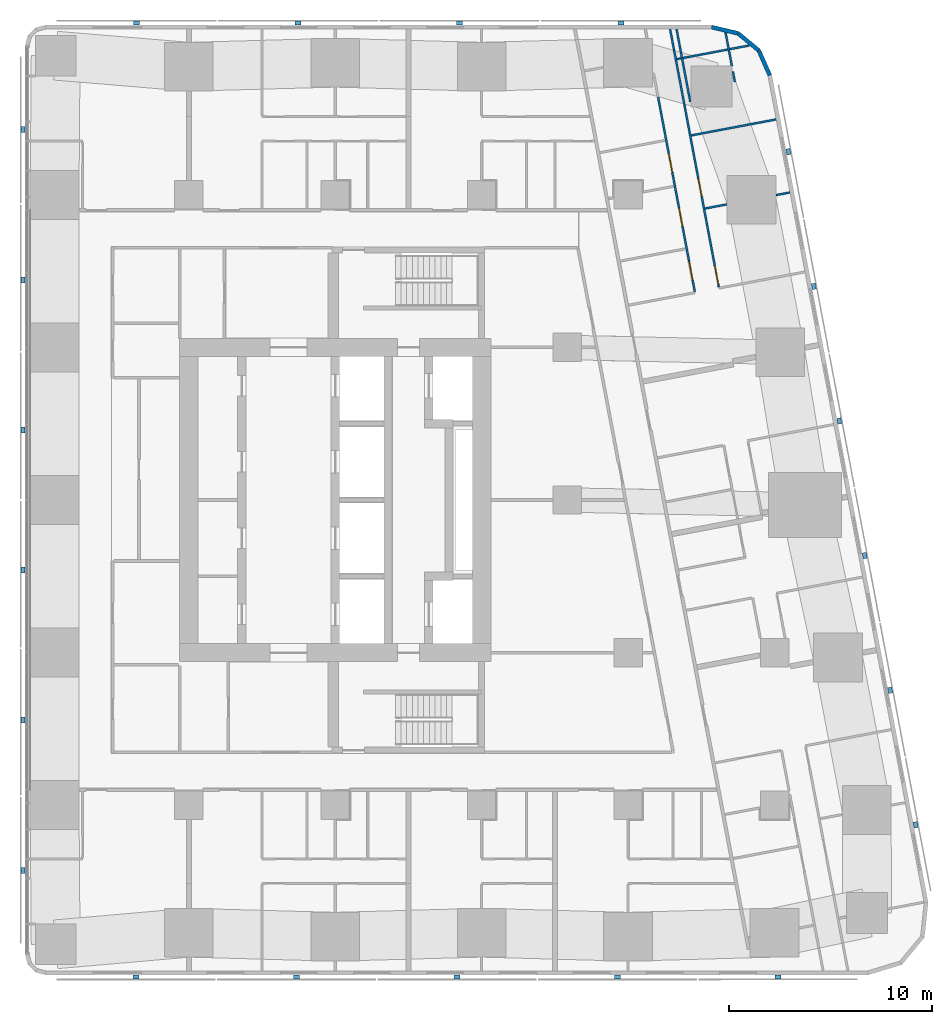
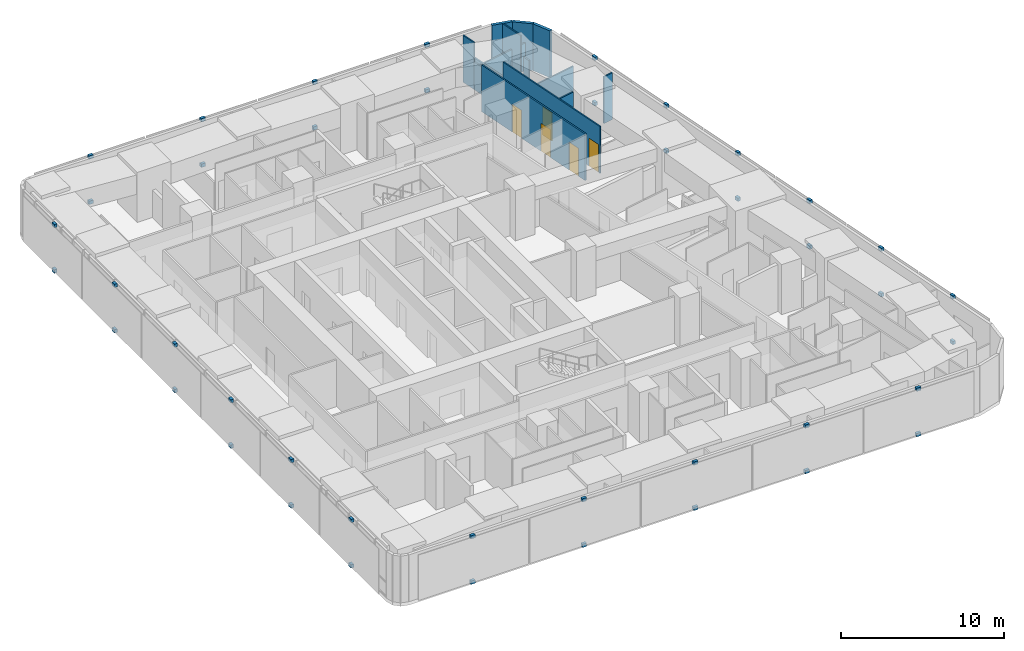
# One storey, part 17 of 19: 42 discrete accessories, 14 walls, 5 doors, 5 openings.
"""IFC4 building model written with IfcOpenShell, lengths in metres."""

from ifc_helpers import new_model, si_unit, direction, frame, frame_2d, origin, origin_2d, place, context, subcontext, project, spatial, rectangle, extrude, material, layer, layer_set, type_object, element, fill, save


model = new_model("IFC4")

# Units and contexts
model_context = context("Model", 3, precision=1e-05, world=origin(), true_north=direction((0.0, 1.0)))
body_context = subcontext(model_context, "Body", "Model", "MODEL_VIEW")
ifc_project = project(units=[si_unit("LENGTHUNIT", "METRE"), si_unit("AREAUNIT", "SQUARE_METRE"), si_unit("VOLUMEUNIT", "CUBIC_METRE"), si_unit("PLANEANGLEUNIT", "RADIAN"), si_unit("MASSUNIT", "GRAM", prefix="KILO")], contexts=[model_context])

# Site, building, storey
site_placement = place(None, origin())
site = spatial("IfcSite", under=ifc_project, at=site_placement, CompositionType="ELEMENT")
building_placement = place(site_placement, origin())
building = spatial("IfcBuilding", under=site, at=building_placement, Name="Sheger Commons Tower", CompositionType="ELEMENT")
storey_placement = place(building_placement, frame((0.0, 0.0, 219.949951171875)))
storey = spatial("IfcBuildingStorey", under=building, at=storey_placement, Name="L56", CompositionType="ELEMENT", Elevation=219.949951171875)

# Walls
ifc_material_1 = material(Name="Rendered concrete block masonry, dark grey", Category="masonry")
ifc_layer_1 = layer(ifc_material_1, 0.199951171875)
ifc_layer_set_1 = layer_set([ifc_layer_1], Name="FACADE WALL 200")
wall_type_1 = type_object("IfcWallType", Name="FACADE WALL 200", PredefinedType="SOLIDWALL", material=ifc_layer_set_1)
wall_1_placement = place(storey_placement, frame((42.969970703125, 43.376953125, 0.0), z_axis=(0.0, 0.0, 1.0), x_axis=(-0.406002956633, 0.913871762998, 0.0)))
element("IfcWall", 1, at=wall_1_placement, inside=storey, type_object=wall_type_1, Name="Facade wall L56", PredefinedType="SOLIDWALL", context=body_context, shape_type="SweptSolid", body=[
    extrude(rectangle(XDim=1.33740234375, YDim=0.199951171875, at=frame_2d((0.668701171875, 0.0))), origin(), (0.0, 0.0, 1.0), 3.5),
])
wall_2_placement = place(storey_placement, frame((42.427001953125, 44.59912109375, 0.0), z_axis=(0.0, 0.0, 1.0), x_axis=(-0.770091412544, 0.637933551655, 0.0)))
element("IfcWall", 2, at=wall_2_placement, inside=storey, type_object=wall_type_1, Name="Facade wall L56", PredefinedType="SOLIDWALL", context=body_context, shape_type="SweptSolid", body=[
    extrude(rectangle(XDim=1.324462890625, YDim=0.199951171875, at=frame_2d((0.662109375, 0.0))), origin(), (0.0, 0.0, 1.0), 3.5),
])
wall_3_placement = place(storey_placement, frame((41.406982421875, 45.444091796875, 0.0), z_axis=(0.0, 0.0, 1.0), x_axis=(-0.973453091607, 0.228886606077, 0.0)))
element("IfcWall", 3, at=wall_3_placement, inside=storey, type_object=wall_type_1, Name="Facade wall L56", PredefinedType="SOLIDWALL", context=body_context, shape_type="SweptSolid", body=[
    extrude(rectangle(XDim=1.33642578125, YDim=0.199951171875, at=frame_2d((0.668212890625, 0.0))), origin(), (0.0, 0.0, 1.0), 3.5),
])
ifc_material_2 = material(Name="Gypsum board on steel studs", Category="steel")
ifc_layer_2 = layer(ifc_material_2, 0.10009765625)
ifc_layer_set_2 = layer_set([ifc_layer_2], Name="PARTITION 100")
wall_type_2 = type_object("IfcWallType", Name="PARTITION 100", PredefinedType="PARTITIONING", material=ifc_layer_set_2)
wall_4_placement = place(storey_placement, frame((39.053955078125, 42.0849609375, 0.0), z_axis=(0.0, 0.0, 1.0), x_axis=(-0.185791584218, 0.982589175207, 0.0)))
element("IfcWall", 4, at=wall_4_placement, inside=storey, type_object=wall_type_2, Name="Partition L56", PredefinedType="PARTITIONING", context=body_context, shape_type="SweptSolid", body=[
    extrude(rectangle(XDim=3.628173828125, YDim=0.10009765625, at=frame_2d((1.81396484375, 0.0))), origin(), (0.0, 0.0, 1.0), 2.050048828125),
])
wall_5_placement = place(storey_placement, frame((40.7890625, 45.487060546875, 0.0), z_axis=(0.0, 0.0, 1.0), x_axis=(0.185572395193, -0.982630594955, 0.0)))
element("IfcWall", 5, at=wall_5_placement, inside=storey, type_object=wall_type_2, Name="Partition L56", PredefinedType="PARTITIONING", context=body_context, shape_type="SweptSolid", body=[
    extrude(rectangle(XDim=1.676025390625, YDim=0.10009765625, at=frame_2d((0.837890625, 0.0))), origin(), (0.0, 0.0, 1.0), 3.5),
])
wall_6_placement = place(storey_placement, frame((41.15087890625, 43.569091796875, 0.0), z_axis=(0.0, 0.0, 1.0), x_axis=(0.186563073924, -0.982442985342, 0.0)))
element("IfcWall", 6, at=wall_6_placement, inside=storey, type_object=wall_type_2, Name="Partition L56", PredefinedType="PARTITIONING", context=body_context, shape_type="SweptSolid", body=[
    extrude(rectangle(XDim=0.53125, YDim=0.10009765625, at=frame_2d((0.265625, 0.0))), origin(), (0.0, 0.0, 1.0), 2.050048828125),
])
wall_7_placement = place(storey_placement, frame((38.06298828125, 45.64990234375, 0.0), z_axis=(0.0, 0.0, 1.0), x_axis=(0.185677287841, -0.982610779902, 0.0)))
element("IfcWall", 7, at=wall_7_placement, inside=storey, type_object=wall_type_2, Name="Partition L56", PredefinedType="PARTITIONING", context=body_context, shape_type="SweptSolid", body=[
    extrude(rectangle(XDim=1.0400390625, YDim=0.10009765625, at=frame_2d((0.52001953125, 0.0))), origin(), (0.0, 0.0, 1.0), 3.5),
])
wall_8_placement = place(storey_placement, frame((38.256103515625, 44.6279296875, 0.0), z_axis=(0.0, 0.0, 1.0), x_axis=(0.185700639943, -0.982606366927, 0.0)))
element("IfcWall", 8, at=wall_8_placement, inside=storey, type_object=wall_type_2, Name="Partition L56", PredefinedType="PARTITIONING", context=body_context, shape_type="SweptSolid", body=[
    extrude(rectangle(XDim=2.734619140625, YDim=0.10009765625, at=frame_2d((1.3671875, 0.0))), origin(), (0.0, 0.0, 1.0), 2.050048828125),
])

# Wall, openings, doors
wall_9_placement = place(storey_placement, frame((38.763916015625, 41.94091796875, 0.0), z_axis=(0.0, 0.0, 1.0), x_axis=(0.185548572312, -0.982635093671, 0.0)))
wall_9 = element("IfcWall", 9, at=wall_9_placement, inside=storey, type_object=wall_type_2, Name="Partition L56", PredefinedType="PARTITIONING", context=body_context, shape_type="SweptSolid", body=[
    extrude(rectangle(XDim=9.135498046875, YDim=0.10009765625, at=frame_2d((4.56787109375, 0.0))), origin(), (0.0, 0.0, 1.0), 3.5),
])
opening_1_placement = place(wall_9_placement, frame((8.0849609375, 0.0, 0.0)))
opening_1 = element("IfcOpeningElement", 10, at=opening_1_placement, cuts=wall_9, Name="Opening D2", PredefinedType="OPENING", context=body_context, shape_type="SweptSolid", body=[
    extrude(rectangle(XDim=0.89990234375, YDim=2.10009765625, at=frame_2d((0.449951171875, 1.050048828125))), frame((0.0, 0.06005859375, 0.0), z_axis=(0.0, -1.0, 0.0), x_axis=(1.0, 0.0, 0.0)), (0.0, 0.0, 1.0), 0.1201171875),
])
opening_2_placement = place(wall_9_placement, frame((3.699951171875, 0.0, 0.0)))
opening_2 = element("IfcOpeningElement", 11, at=opening_2_placement, cuts=wall_9, Name="Opening D2", PredefinedType="OPENING", context=body_context, shape_type="SweptSolid", body=[
    extrude(rectangle(XDim=0.89990234375, YDim=2.10009765625, at=frame_2d((0.449951171875, 1.050048828125))), frame((0.0, 0.06005859375, 0.0), z_axis=(0.0, -1.0, 0.0), x_axis=(1.0, 0.0, 0.0)), (0.0, 0.0, 1.0), 0.1201171875),
])
ifc_material_3 = material(Name="Timber door set", Category="wood")
door_type = type_object("IfcDoorType", Name="INTERNAL DOOR 900x2100", OperationType="NOTDEFINED", PredefinedType="DOOR", material=ifc_material_3)
door_1_placement = place(opening_1_placement, origin())
door_1 = element("IfcDoor", 12, at=door_1_placement, inside=storey, type_object=door_type, Name="Main bedroom door", OperationType="SINGLE_SWING_RIGHT", OverallHeight=2.10009765625, OverallWidth=0.89990234375, PredefinedType="DOOR", context=body_context, shape_type="SweptSolid", body=[
    extrude(rectangle(XDim=0.89990234375, YDim=2.10009765625, at=frame_2d((0.449951171875, 1.050048828125))), frame((0.0, 0.02490234375, 0.0), z_axis=(0.0, -1.0, 0.0), x_axis=(1.0, 0.0, 0.0)), (0.0, 0.0, 1.0), 0.050048828125),
])
fill(opening_1, door_1)
door_2_placement = place(opening_2_placement, origin())
door_2 = element("IfcDoor", 13, at=door_2_placement, inside=storey, type_object=door_type, Name="Bedroom 2 door", OperationType="SINGLE_SWING_RIGHT", OverallHeight=2.10009765625, OverallWidth=0.89990234375, PredefinedType="DOOR", context=body_context, shape_type="SweptSolid", body=[
    extrude(rectangle(XDim=0.89990234375, YDim=2.10009765625, at=frame_2d((0.449951171875, 1.050048828125))), frame((0.0, 0.02490234375, 0.0), z_axis=(0.0, -1.0, 0.0), x_axis=(1.0, 0.0, 0.0)), (0.0, 0.0, 1.0), 0.050048828125),
])
fill(opening_2, door_2)

wall_10_placement = place(storey_placement, frame((37.472900390625, 42.30908203125, 0.0), z_axis=(0.0, 0.0, 1.0), x_axis=(0.185491912953, -0.982645790827, 0.0)))
wall_10 = element("IfcWall", 14, at=wall_10_placement, inside=storey, type_object=wall_type_2, Name="Partition L56", PredefinedType="PARTITIONING", context=body_context, shape_type="SweptSolid", body=[
    extrude(rectangle(XDim=9.737060546875, YDim=0.10009765625, at=frame_2d((4.86865234375, 0.0))), origin(), (0.0, 0.0, 1.0), 3.5),
])
opening_3_placement = place(wall_10_placement, frame((8.23193359375, 0.0, 0.0)))
opening_3 = element("IfcOpeningElement", 15, at=opening_3_placement, cuts=wall_10, Name="Opening D2", PredefinedType="OPENING", context=body_context, shape_type="SweptSolid", body=[
    extrude(rectangle(XDim=0.89990234375, YDim=2.10009765625, at=frame_2d((0.449951171875, 1.050048828125))), frame((0.0, 0.06005859375, 0.0), z_axis=(0.0, -1.0, 0.0), x_axis=(1.0, 0.0, 0.0)), (0.0, 0.0, 1.0), 0.1201171875),
])
opening_4_placement = place(wall_10_placement, frame((2.85302734375, 0.0, 0.0)))
opening_4 = element("IfcOpeningElement", 16, at=opening_4_placement, cuts=wall_10, Name="Opening D2", PredefinedType="OPENING", context=body_context, shape_type="SweptSolid", body=[
    extrude(rectangle(XDim=0.89990234375, YDim=2.10009765625, at=frame_2d((0.449951171875, 1.050048828125))), frame((0.0, 0.06005859375, 0.0), z_axis=(0.0, -1.0, 0.0), x_axis=(1.0, 0.0, 0.0)), (0.0, 0.0, 1.0), 0.1201171875),
])
opening_5_placement = place(wall_10_placement, frame((5.56396484375, 0.0, 0.0)))
opening_5 = element("IfcOpeningElement", 17, at=opening_5_placement, cuts=wall_10, Name="Opening D2", PredefinedType="OPENING", context=body_context, shape_type="SweptSolid", body=[
    extrude(rectangle(XDim=0.89990234375, YDim=2.10009765625, at=frame_2d((0.449951171875, 1.050048828125))), frame((0.0, 0.06005859375, 0.0), z_axis=(0.0, -1.0, 0.0), x_axis=(1.0, 0.0, 0.0)), (0.0, 0.0, 1.0), 0.1201171875),
])
door_3_placement = place(opening_3_placement, origin())
door_3 = element("IfcDoor", 18, at=door_3_placement, inside=storey, type_object=door_type, Name="Bathroom door", OperationType="SINGLE_SWING_LEFT", OverallHeight=2.10009765625, OverallWidth=0.89990234375, PredefinedType="DOOR", context=body_context, shape_type="SweptSolid", body=[
    extrude(rectangle(XDim=0.89990234375, YDim=2.10009765625, at=frame_2d((0.449951171875, 1.050048828125))), frame((0.0, 0.02490234375, 0.0), z_axis=(0.0, -1.0, 0.0), x_axis=(1.0, 0.0, 0.0)), (0.0, 0.0, 1.0), 0.050048828125),
])
fill(opening_3, door_3)
door_4_placement = place(opening_4_placement, origin())
door_4 = element("IfcDoor", 19, at=door_4_placement, inside=storey, type_object=door_type, Name="Laundry room door", OperationType="SINGLE_SWING_RIGHT", OverallHeight=2.10009765625, OverallWidth=0.89990234375, PredefinedType="DOOR", context=body_context, shape_type="SweptSolid", body=[
    extrude(rectangle(XDim=0.89990234375, YDim=2.10009765625, at=frame_2d((0.449951171875, 1.050048828125))), frame((0.0, 0.02490234375, 0.0), z_axis=(0.0, -1.0, 0.0), x_axis=(1.0, 0.0, 0.0)), (0.0, 0.0, 1.0), 0.050048828125),
])
fill(opening_4, door_4)
door_5_placement = place(opening_5_placement, origin())
door_5 = element("IfcDoor", 20, at=door_5_placement, inside=storey, type_object=door_type, Name="Store door", OperationType="SINGLE_SWING_RIGHT", OverallHeight=2.10009765625, OverallWidth=0.89990234375, PredefinedType="DOOR", context=body_context, shape_type="SweptSolid", body=[
    extrude(rectangle(XDim=0.89990234375, YDim=2.10009765625, at=frame_2d((0.449951171875, 1.050048828125))), frame((0.0, 0.02490234375, 0.0), z_axis=(0.0, -1.0, 0.0), x_axis=(1.0, 0.0, 0.0)), (0.0, 0.0, 1.0), 0.050048828125),
])
fill(opening_5, door_5)

# Walls
wall_11_placement = place(storey_placement, frame((41.968017578125, 44.85009765625, 0.0), z_axis=(0.0, 0.0, 1.0), x_axis=(-0.98258614234, -0.185807623311, 0.0)))
element("IfcWall", 21, at=wall_11_placement, inside=storey, type_object=wall_type_2, Name="Partition L56", PredefinedType="PARTITIONING", context=body_context, shape_type="SweptSolid", body=[
    extrude(rectangle(XDim=3.638427734375, YDim=0.10009765625, at=frame_2d((1.8193359375, 0.0))), origin(), (0.0, 0.0, 1.0), 2.050048828125),
])
wall_12_placement = place(storey_placement, frame((43.277099609375, 41.2119140625, 0.0), z_axis=(0.0, 0.0, 1.0), x_axis=(-0.982665405803, -0.185387972203, 0.0)))
element("IfcWall", 22, at=wall_12_placement, inside=storey, type_object=wall_type_2, Name="Partition L56", PredefinedType="PARTITIONING", context=body_context, shape_type="SweptSolid", body=[
    extrude(rectangle(XDim=4.249755859375, YDim=0.10009765625, at=frame_2d((2.125, 0.0))), origin(), (0.0, 0.0, 1.0), 2.050048828125),
])
wall_13_placement = place(storey_placement, frame((43.955078125, 37.6201171875, 0.0), z_axis=(0.0, 0.0, 1.0), x_axis=(-0.982495415327, -0.186286765128, 0.0)))
element("IfcWall", 23, at=wall_13_placement, inside=storey, type_object=wall_type_2, Name="Partition L56", PredefinedType="PARTITIONING", context=body_context, shape_type="SweptSolid", body=[
    extrude(rectangle(XDim=0.693359375, YDim=0.10009765625, at=frame_2d((0.3466796875, 0.0))), origin(), (0.0, 0.0, 1.0), 3.5),
])
wall_14_placement = place(storey_placement, frame((40.85400390625, 37.033935546875, 0.0), z_axis=(0.0, 0.0, 1.0), x_axis=(-0.982651678759, -0.185460718839, 0.0)))
element("IfcWall", 24, at=wall_14_placement, inside=storey, type_object=wall_type_2, Name="Partition L56", PredefinedType="PARTITIONING", context=body_context, shape_type="SweptSolid", body=[
    extrude(rectangle(XDim=1.093994140625, YDim=0.10009765625, at=frame_2d((0.546875, 0.0))), origin(), (0.0, 0.0, 1.0), 3.5),
])

# Discrete accessories
ifc_material_4 = material(Name="Black painted steel bracket", Category="steel")
discrete_accessory_type = type_object("IfcDiscreteAccessoryType", Name="SCREEN BRACKET 300x200x250", PredefinedType="BRACKET", material=ifc_material_4)
for number, where, z_axis, x_axis, name in (
    (25, (11.7958984375, -0.949951171875, -0.099853515625), (0.0, 0.0, 1.0), (1.0, 0.0, 0.0), "Solar screen foot bracket"),
    (26, (11.7958984375, -0.949951171875, 3.300048828125), (0.0, 0.0, 1.0), (1.0, 0.0, 0.0), "Solar screen head bracket"),
    (27, (19.68701171875, -0.949951171875, -0.099853515625), (0.0, 0.0, 1.0), (1.0, 0.0, 0.0), "Solar screen foot bracket"),
    (28, (19.68701171875, -0.949951171875, 3.300048828125), (0.0, 0.0, 1.0), (1.0, 0.0, 0.0), "Solar screen head bracket"),
    (29, (27.577880859375, -0.949951171875, -0.099853515625), (0.0, 0.0, 1.0), (1.0, 0.0, 0.0), "Solar screen foot bracket"),
    (30, (27.577880859375, -0.949951171875, 3.300048828125), (0.0, 0.0, 1.0), (1.0, 0.0, 0.0), "Solar screen head bracket"),
    (31, (35.468994140625, -0.949951171875, -0.099853515625), (0.0, 0.0, 1.0), (1.0, 0.0, 0.0), "Solar screen foot bracket"),
    (32, (35.468994140625, -0.949951171875, 3.300048828125), (0.0, 0.0, 1.0), (1.0, 0.0, 0.0), "Solar screen head bracket"),
    (33, (43.360107421875, -0.949951171875, -0.099853515625), (0.0, 0.0, 1.0), (1.0, 0.0, 0.0), "Solar screen foot bracket"),
    (34, (43.360107421875, -0.949951171875, 3.300048828125), (0.0, 0.0, 1.0), (1.0, 0.0, 0.0), "Solar screen head bracket"),
    (35, (50.134033203125, 6.527099609375, -0.099853515625), (0.0, 0.0, 1.0), (-0.185615165645, 0.982622516678, 0.0), "Solar screen foot bracket"),
    (36, (50.134033203125, 6.527099609375, 3.300048828125), (0.0, 0.0, 1.0), (-0.185615165645, 0.982622516678, 0.0), "Solar screen head bracket"),
    (37, (48.884033203125, 13.14599609375, -0.099853515625), (0.0, 0.0, 1.0), (-0.185615165645, 0.982622516678, 0.0), "Solar screen foot bracket"),
    (38, (48.884033203125, 13.14599609375, 3.300048828125), (0.0, 0.0, 1.0), (-0.185615165645, 0.982622516678, 0.0), "Solar screen head bracket"),
    (39, (47.633056640625, 19.76611328125, -0.099853515625), (0.0, 0.0, 1.0), (-0.185615165645, 0.982622516678, 0.0), "Solar screen foot bracket"),
    (40, (47.633056640625, 19.76611328125, 3.300048828125), (0.0, 0.0, 1.0), (-0.185615165645, 0.982622516678, 0.0), "Solar screen head bracket"),
    (41, (46.383056640625, 26.385009765625, -0.099853515625), (0.0, 0.0, 1.0), (-0.185615165645, 0.982622516678, 0.0), "Solar screen foot bracket"),
    (42, (46.383056640625, 26.385009765625, 3.300048828125), (0.0, 0.0, 1.0), (-0.185615165645, 0.982622516678, 0.0), "Solar screen head bracket"),
    (43, (45.133056640625, 33.0048828125, -0.099853515625), (0.0, 0.0, 1.0), (-0.185615165645, 0.982622516678, 0.0), "Solar screen foot bracket"),
    (44, (45.133056640625, 33.0048828125, 3.300048828125), (0.0, 0.0, 1.0), (-0.185615165645, 0.982622516678, 0.0), "Solar screen head bracket"),
    (45, (43.882080078125, 39.6240234375, -0.099853515625), (0.0, 0.0, 1.0), (-0.185615165645, 0.982622516678, 0.0), "Solar screen foot bracket"),
    (46, (43.882080078125, 39.6240234375, 3.300048828125), (0.0, 0.0, 1.0), (-0.185615165645, 0.982622516678, 0.0), "Solar screen head bracket"),
    (47, (35.64697265625, 45.949951171875, -0.099853515625), (0.0, 0.0, 1.0), (-1.0, 0.0, 0.0), "Solar screen foot bracket"),
    (48, (35.64697265625, 45.949951171875, 3.300048828125), (0.0, 0.0, 1.0), (-1.0, 0.0, 0.0), "Solar screen head bracket"),
    (49, (27.705078125, 45.949951171875, -0.099853515625), (0.0, 0.0, 1.0), (-1.0, 0.0, 0.0), "Solar screen foot bracket"),
    (50, (27.705078125, 45.949951171875, 3.300048828125), (0.0, 0.0, 1.0), (-1.0, 0.0, 0.0), "Solar screen head bracket"),
    (51, (19.762939453125, 45.949951171875, -0.099853515625), (0.0, 0.0, 1.0), (-1.0, 0.0, 0.0), "Solar screen foot bracket"),
    (52, (19.762939453125, 45.949951171875, 3.300048828125), (0.0, 0.0, 1.0), (-1.0, 0.0, 0.0), "Solar screen head bracket"),
    (53, (11.821044921875, 45.949951171875, -0.099853515625), (0.0, 0.0, 1.0), (-1.0, 0.0, 0.0), "Solar screen foot bracket"),
    (54, (11.821044921875, 45.949951171875, 3.300048828125), (0.0, 0.0, 1.0), (-1.0, 0.0, 0.0), "Solar screen head bracket"),
    (55, (6.25, 40.7080078125, -0.099853515625), (0.0, 0.0, 1.0), (0.0, -1.0, 0.0), "Solar screen foot bracket"),
    (56, (6.25, 40.7080078125, 3.300048828125), (0.0, 0.0, 1.0), (0.0, -1.0, 0.0), "Solar screen head bracket"),
    (57, (6.25, 33.324951171875, -0.099853515625), (0.0, 0.0, 1.0), (0.0, -1.0, 0.0), "Solar screen foot bracket"),
    (58, (6.25, 33.324951171875, 3.300048828125), (0.0, 0.0, 1.0), (0.0, -1.0, 0.0), "Solar screen head bracket"),
    (59, (6.25, 25.94189453125, -0.099853515625), (0.0, 0.0, 1.0), (0.0, -1.0, 0.0), "Solar screen foot bracket"),
    (60, (6.25, 25.94189453125, 3.300048828125), (0.0, 0.0, 1.0), (0.0, -1.0, 0.0), "Solar screen head bracket"),
    (61, (6.25, 19.05810546875, -0.099853515625), (0.0, 0.0, 1.0), (0.0, -1.0, 0.0), "Solar screen foot bracket"),
    (62, (6.25, 19.05810546875, 3.300048828125), (0.0, 0.0, 1.0), (0.0, -1.0, 0.0), "Solar screen head bracket"),
    (63, (6.25, 11.675048828125, -0.099853515625), (0.0, 0.0, 1.0), (0.0, -1.0, 0.0), "Solar screen foot bracket"),
    (64, (6.25, 11.675048828125, 3.300048828125), (0.0, 0.0, 1.0), (0.0, -1.0, 0.0), "Solar screen head bracket"),
    (65, (6.25, 4.2919921875, -0.099853515625), (0.0, 0.0, 1.0), (0.0, -1.0, 0.0), "Solar screen foot bracket"),
    (66, (6.25, 4.2919921875, 3.300048828125), (0.0, 0.0, 1.0), (0.0, -1.0, 0.0), "Solar screen head bracket"),
):
    element("IfcDiscreteAccessory", number, at=place(storey_placement, frame(where, z_axis=z_axis, x_axis=x_axis)), inside=storey, type_object=discrete_accessory_type, Name=name, PredefinedType="BRACKET", context=body_context, shape_type="SweptSolid", body=[
        extrude(rectangle(XDim=0.300048828125, YDim=0.199951171875, at=origin_2d()), origin(), (0.0, 0.0, 1.0), 0.25),
    ])

save(model, "model.ifc")
